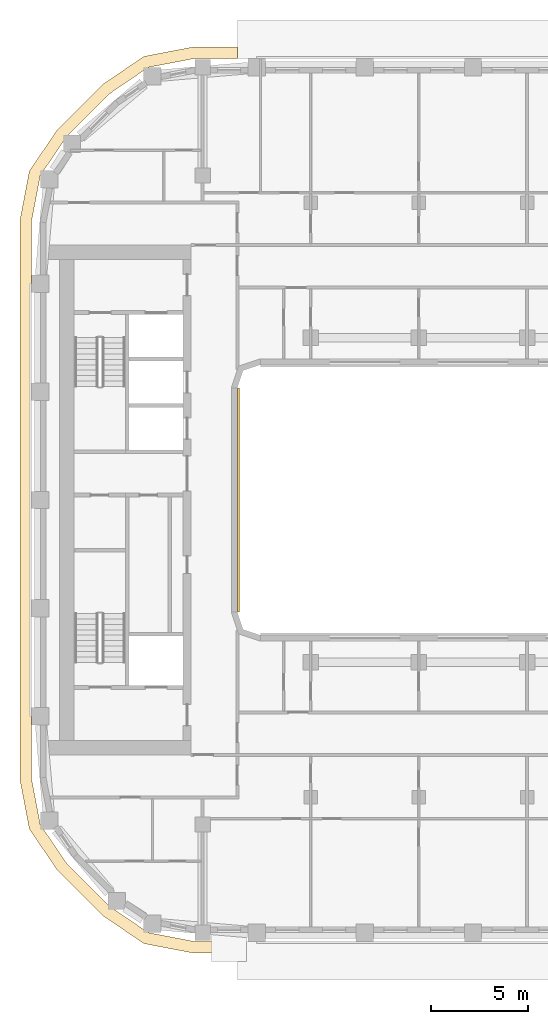
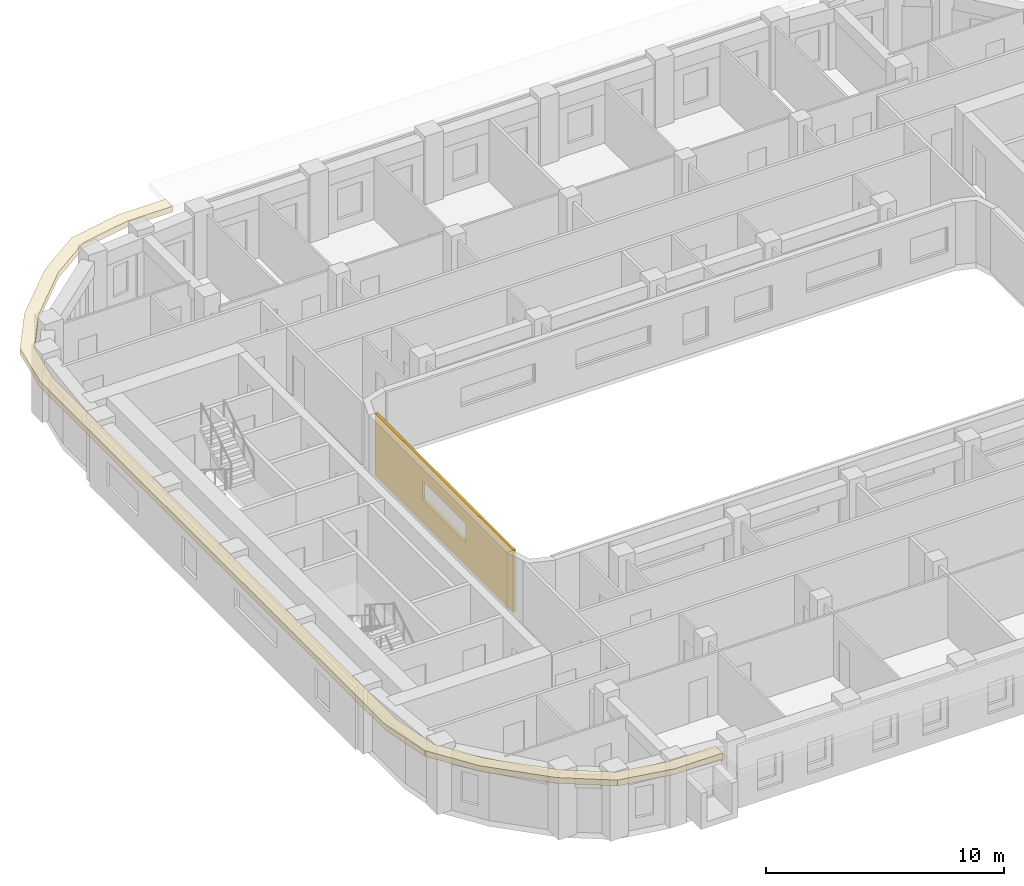
# One storey, part 13 of 21: 2 coverings.
"""IFC4 building model written with IfcOpenShell, lengths in metres."""

from ifc_helpers import new_model, si_unit, direction, frame, origin, place, context, subcontext, project, spatial, polyline, outline, extrude, material, layer, layer_set, type_object, element, save


model = new_model("IFC4")

# Units and contexts
model_context = context("Model", 3, precision=1e-05, world=origin(), true_north=direction((0.0, 1.0)))
body_context = subcontext(model_context, "Body", "Model", "MODEL_VIEW")
ifc_project = project(units=[si_unit("LENGTHUNIT", "METRE"), si_unit("AREAUNIT", "SQUARE_METRE"), si_unit("VOLUMEUNIT", "CUBIC_METRE"), si_unit("PLANEANGLEUNIT", "RADIAN"), si_unit("MASSUNIT", "GRAM", prefix="KILO")], contexts=[model_context])

# Site, building, storey
site_placement = place(None, origin())
site = spatial("IfcSite", under=ifc_project, at=site_placement, CompositionType="ELEMENT")
building_placement = place(site_placement, origin())
building = spatial("IfcBuilding", under=site, at=building_placement, Name="Kiln Ring Residences", CompositionType="ELEMENT")
storey_placement = place(building_placement, frame((0.0, 0.0, 202.89990234375)))
storey = spatial("IfcBuildingStorey", under=building, at=storey_placement, Name="L52", CompositionType="ELEMENT", Elevation=202.89990234375)

# Coverings
ifc_material_1 = material(Name="Brick masonry, dark clay brick", Category="masonry")
ifc_layer_1 = layer(ifc_material_1, 0.1201171875)
ifc_layer_set_1 = layer_set([ifc_layer_1], Name="RAINSCREEN PANEL 120")
covering_type_1 = type_object("IfcCoveringType", Name="RAINSCREEN PANEL 120", PredefinedType="CLADDING", material=ifc_layer_set_1)
covering_1_placement = place(storey_placement, frame((-14.93994140625, -5.800048828125, 0.0), z_axis=(0.0, 0.0, 1.0), x_axis=(0.0, 1.0, 0.0)))
element("IfcCovering", 1, at=covering_1_placement, inside=storey, type_object=covering_type_1, Name="RAINSCREEN L52", PredefinedType="CLADDING", context=body_context, shape_type="SweptSolid", body=[
    extrude(outline(polyline([(0.0, 0.0), (11.60009765625, 0.0), (11.60009765625, 3.2001953125), (0.0, 3.2001953125), (0.0, 0.0)]), holes=[polyline([(4.0, 2.150146484375), (4.0, 1.2001953125), (7.60009765625, 1.2001953125), (7.60009765625, 2.150146484375), (4.0, 2.150146484375)])]), frame((0.0, 0.06005859375, 0.0), z_axis=(0.0, -1.0, 0.0), x_axis=(1.0, 0.0, 0.0)), (0.0, 0.0, 1.0), 0.1201171875),
])
ifc_material_2 = material(Name="Black powder-coated steel", Category="steel")
ifc_layer_2 = layer(ifc_material_2, 0.300048828125)
ifc_layer_set_2 = layer_set([ifc_layer_2], Name="SUNSHADE FIN 600")
covering_type_2 = type_object("IfcCoveringType", Name="SUNSHADE FIN 600", PredefinedType="CLADDING", material=ifc_layer_set_2)
covering_2_placement = place(storey_placement, frame((0.0, 0.0, 3.2001953125)))
element("IfcCovering", 2, at=covering_2_placement, inside=storey, type_object=covering_type_2, Name="SUNSHADE FIN L52", PredefinedType="CLADDING", context=body_context, shape_type="SweptSolid", body=[
    extrude(outline(polyline([(-26.25, -14.499267578125), (-25.766357421875, -17.03466796875), (-24.315673828125, -19.169189453125), (-21.96923828125, -21.515625), (-19.834716796875, -22.96630859375), (-17.29931640625, -23.449951171875), (-15.0, -23.449951171875), (-15.0, -22.85009765625), (-17.242431640625, -22.85009765625), (-19.60009765625, -22.400390625), (-21.585205078125, -21.05126953125), (-23.851318359375, -18.78515625), (-25.2001953125, -16.800048828125), (-25.64990234375, -14.4423828125), (-25.64990234375, 14.4423828125), (-25.2001953125, 16.800048828125), (-23.851318359375, 18.78515625), (-21.585205078125, 21.05126953125), (-19.60009765625, 22.400390625), (-17.242431640625, 22.85009765625), (-15.0, 22.85009765625), (-15.0, 23.449951171875), (-17.29931640625, 23.449951171875), (-19.834716796875, 22.96630859375), (-21.96923828125, 21.515625), (-24.315673828125, 19.169189453125), (-25.766357421875, 17.03466796875), (-26.25, 14.499267578125), (-26.25, -14.499267578125)])), origin(), (0.0, 0.0, 1.0), 0.2998046875),
])

save(model, "model.ifc")
